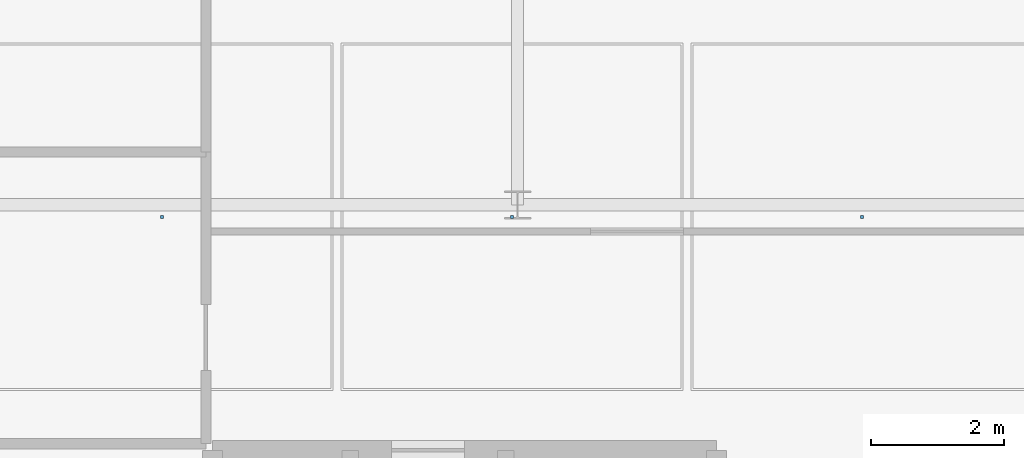
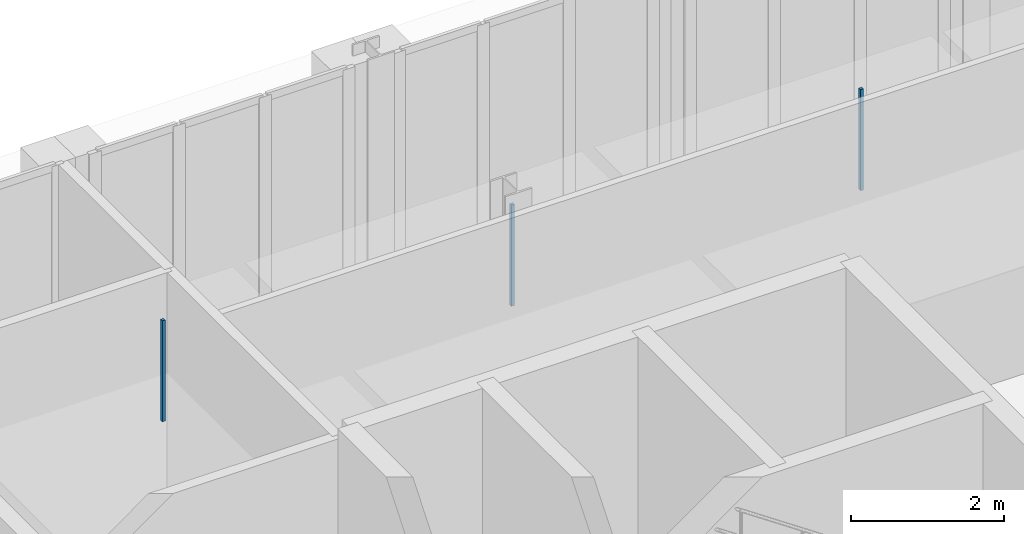
# One storey, part 145 of 180: 3 discrete accessories.
"""IFC4 building model written with IfcOpenShell, lengths in metres."""

from ifc_helpers import new_model, si_unit, direction, frame, origin, origin_2d, place, context, subcontext, project, spatial, rectangle, extrude, material, type_object, element, save


model = new_model("IFC4")

# Units and contexts
model_context = context("Model", 3, precision=1e-05, world=origin(), true_north=direction((0.0, 1.0)))
body_context = subcontext(model_context, "Body", "Model", "MODEL_VIEW")
ifc_project = project(units=[si_unit("LENGTHUNIT", "METRE"), si_unit("AREAUNIT", "SQUARE_METRE"), si_unit("VOLUMEUNIT", "CUBIC_METRE"), si_unit("PLANEANGLEUNIT", "RADIAN"), si_unit("MASSUNIT", "GRAM", prefix="KILO"), si_unit("THERMODYNAMICTEMPERATUREUNIT", "KELVIN"), si_unit("POWERUNIT", "WATT")], contexts=[model_context])

# Site, building, storey
site_placement = place(None, origin())
site = spatial("IfcSite", under=ifc_project, at=site_placement, CompositionType="ELEMENT")
building_placement = place(site_placement, origin())
building = spatial("IfcBuilding", under=site, at=building_placement, Name="Tallowbark Science Centre", CompositionType="ELEMENT")
storey_placement = place(building_placement, origin())
storey = spatial("IfcBuildingStorey", under=building, at=storey_placement, Name="L00", CompositionType="ELEMENT", Elevation=0.0)

# Discrete accessories
ifc_material = material(Name="Galvanised Steel Grade C350L0 (350 MPa)", Category="steel")
discrete_accessory_type = type_object("IfcDiscreteAccessoryType", Name="ACC-CLG-HNG", PredefinedType="BRACKET", material=ifc_material)
for number, where, z_axis, x_axis, name in (
    (1, (116.138916015625, 107.8212890625, 3.60595703125), (0.0, 0.0, 1.0), (1.0, 0.0, 0.0), "Ceiling Hanger Bracket L00-422"),
    (2, (121.416748046875, 107.8212890625, 3.60595703125), (0.0, 0.0, 1.0), (1.0, 0.0, 0.0), "Ceiling Hanger Bracket L00-424"),
    (3, (126.6943359375, 107.8212890625, 3.60595703125), (0.0, 0.0, 1.0), (1.0, 0.0, 0.0), "Ceiling Hanger Bracket L00-426"),
):
    element("IfcDiscreteAccessory", number, at=place(storey_placement, frame(where, z_axis=z_axis, x_axis=x_axis)), inside=storey, type_object=discrete_accessory_type, Name=name, PredefinedType="BRACKET", context=body_context, shape_type="SweptSolid", body=[
        extrude(rectangle(XDim=0.044921875, YDim=0.044921875, at=origin_2d()), origin(), (0.0, 0.0, 1.0), 1.616943359375),
    ])

save(model, "model.ifc")
